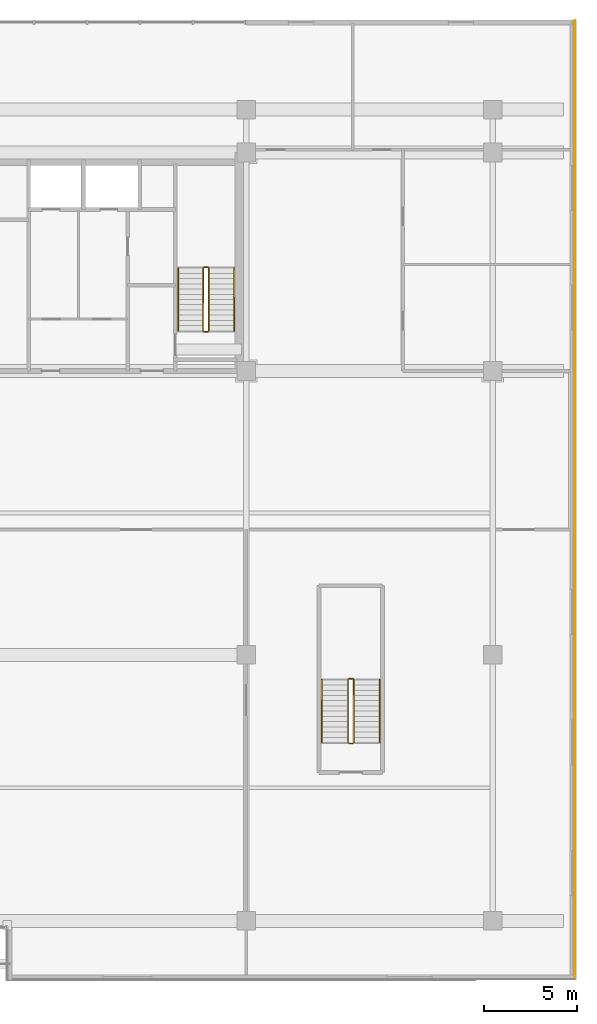
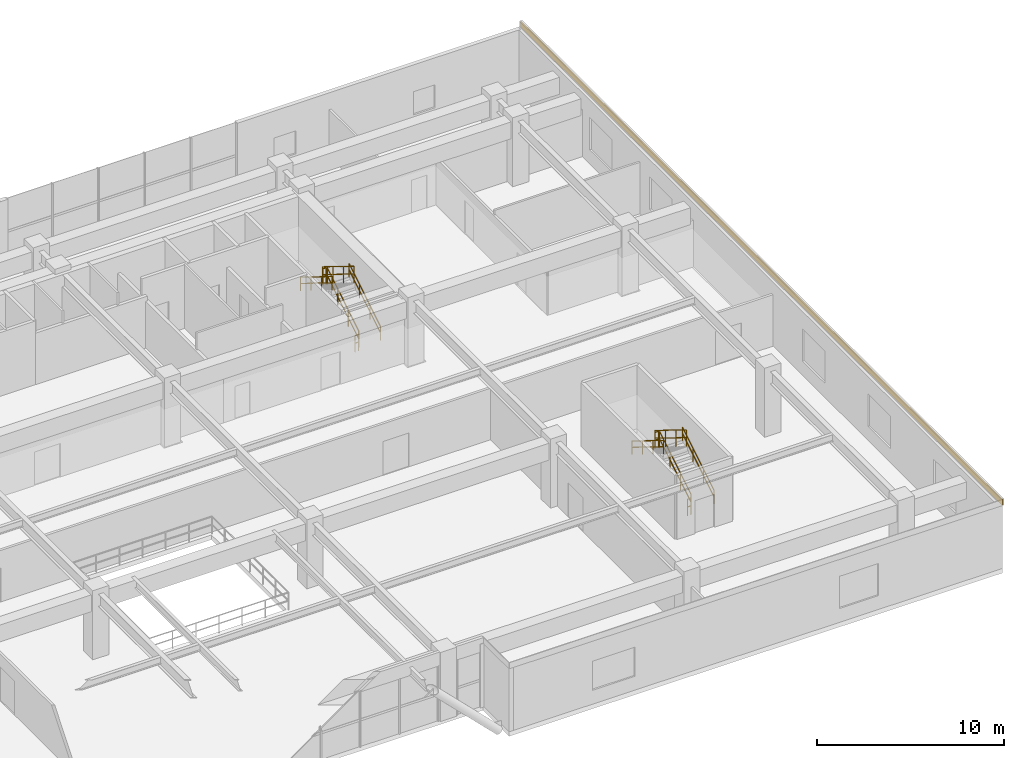
# One storey, part 21 of 21: 12 railings, 1 covering.
"""IFC4 building model written with IfcOpenShell, lengths in metres."""

from ifc_helpers import new_model, si_unit, direction, frame, origin, origin_2d, place, context, subcontext, project, spatial, rectangle, extrude, source, transform, mapped, material, layer, layer_set, type_object, element, save


model = new_model("IFC4")

# Units and contexts
model_context = context("Model", 3, precision=1e-05, world=origin(), true_north=direction((0.0, 1.0)))
body_context = subcontext(model_context, "Body", "Model", "MODEL_VIEW")
ifc_project = project(units=[si_unit("LENGTHUNIT", "METRE"), si_unit("AREAUNIT", "SQUARE_METRE"), si_unit("VOLUMEUNIT", "CUBIC_METRE"), si_unit("PLANEANGLEUNIT", "RADIAN"), si_unit("MASSUNIT", "GRAM", prefix="KILO")], contexts=[model_context])

# Site, building, storey
site_placement = place(None, origin())
site = spatial("IfcSite", under=ifc_project, at=site_placement, CompositionType="ELEMENT")
building_placement = place(site_placement, origin())
building = spatial("IfcBuilding", under=site, at=building_placement, Name="Trelvane Seafront Commons", CompositionType="ELEMENT")
storey_placement = place(building_placement, frame((0.0, 0.0, 14.199951171875)))
storey = spatial("IfcBuildingStorey", under=building, at=storey_placement, Name="L03", CompositionType="ELEMENT", Elevation=14.199951171875)

# Railings
ifc_material_1 = material(Name="Stainless steel balustrade", Category="steel")
railing_type_1 = type_object("IfcRailingType", Name="ARCH-SRL-GUARD", PredefinedType="GUARDRAIL", material=ifc_material_1)
railing_1_placement = place(storey_placement, frame((56.800048828125, 35.550048828125, 0.173095703125)))
element("IfcRailing", 1, at=railing_1_placement, inside=storey, type_object=railing_type_1, Name="L03 ST-2 stair guard 1", PredefinedType="GUARDRAIL", context=body_context, shape_type="SweptSolid", body=[
    extrude(rectangle(XDim=0.048095703125, YDim=0.048095703125, at=origin_2d()), frame((0.0, 0.0, 1.076171875), z_axis=(0.0, 0.850606129759, 0.525803396734), x_axis=(-1.0, 0.0, 0.0)), (0.0, 0.0, 1.0), 3.949951171875),
    extrude(rectangle(XDim=0.048095703125, YDim=0.048095703125, at=origin_2d()), frame((0.0, 0.0, 0.572021484375), z_axis=(0.0, 0.850606129759, 0.525803396734), x_axis=(-1.0, 0.0, 0.0)), (0.0, 0.0, 1.0), 3.949951171875),
    extrude(rectangle(XDim=0.0419921875, YDim=0.0419921875, at=origin_2d()), origin(), (0.0, 0.0, 1.0), 1.076171875),
    extrude(rectangle(XDim=0.0419921875, YDim=0.0419921875, at=origin_2d()), frame((0.0, 1.119873046875, 0.6923828125)), (0.0, 0.0, 1.0), 1.076171875),
    extrude(rectangle(XDim=0.0419921875, YDim=0.0419921875, at=origin_2d()), frame((0.0, 2.239990234375, 1.384521484375)), (0.0, 0.0, 1.0), 1.076171875),
    extrude(rectangle(XDim=0.0419921875, YDim=0.0419921875, at=origin_2d()), frame((0.0, 3.35986328125, 2.076904296875)), (0.0, 0.0, 1.0), 1.076171875),
])
railing_2_placement = place(storey_placement, frame((56.75, 38.9599609375, 2.25)))
element("IfcRailing", 2, at=railing_2_placement, inside=storey, type_object=railing_type_1, Name="L03 ST-2 stair guard 2", PredefinedType="GUARDRAIL", context=body_context, shape_type="SweptSolid", body=[
    extrude(rectangle(XDim=0.048095703125, YDim=0.048095703125, at=origin_2d()), frame((0.0, 0.0, 1.076171875), z_axis=(-1.0, 0.0, 0.0), x_axis=(0.0, -1.0, 0.0)), (0.0, 0.0, 1.0), 0.199951171875),
    extrude(rectangle(XDim=0.048095703125, YDim=0.048095703125, at=origin_2d()), frame((0.0, 0.0, 0.572021484375), z_axis=(-1.0, 0.0, 0.0), x_axis=(0.0, -1.0, 0.0)), (0.0, 0.0, 1.0), 0.199951171875),
    extrude(rectangle(XDim=0.0419921875, YDim=0.0419921875, at=origin_2d()), origin(), (0.0, 0.0, 1.0), 1.076171875),
    extrude(rectangle(XDim=0.0419921875, YDim=0.0419921875, at=origin_2d()), frame((-0.199951171875, 0.0, 0.0)), (0.0, 0.0, 1.0), 1.076171875),
])
railing_3_placement = place(storey_placement, frame((56.5, 38.909912109375, 2.423095703125)))
element("IfcRailing", 3, at=railing_3_placement, inside=storey, type_object=railing_type_1, Name="L03 ST-2 stair guard 3", PredefinedType="GUARDRAIL", context=body_context, shape_type="SweptSolid", body=[
    extrude(rectangle(XDim=0.048095703125, YDim=0.048095703125, at=origin_2d()), frame((0.0, 0.0, 1.076171875), z_axis=(0.0, -0.850606129759, 0.525803396734), x_axis=(1.0, 0.0, 0.0)), (0.0, 0.0, 1.0), 3.949951171875),
    extrude(rectangle(XDim=0.048095703125, YDim=0.048095703125, at=origin_2d()), frame((0.0, 0.0, 0.572021484375), z_axis=(0.0, -0.850606129759, 0.525803396734), x_axis=(1.0, 0.0, 0.0)), (0.0, 0.0, 1.0), 3.949951171875),
    extrude(rectangle(XDim=0.0419921875, YDim=0.0419921875, at=origin_2d()), origin(), (0.0, 0.0, 1.0), 1.076171875),
    extrude(rectangle(XDim=0.0419921875, YDim=0.0419921875, at=origin_2d()), frame((0.0, -1.119873046875, 0.6923828125)), (0.0, 0.0, 1.0), 1.076171875),
    extrude(rectangle(XDim=0.0419921875, YDim=0.0419921875, at=origin_2d()), frame((0.0, -2.239990234375, 1.384521484375)), (0.0, 0.0, 1.0), 1.076171875),
    extrude(rectangle(XDim=0.0419921875, YDim=0.0419921875, at=origin_2d()), frame((0.0, -3.35986328125, 2.076904296875)), (0.0, 0.0, 1.0), 1.076171875),
])
railing_4_placement = place(storey_placement, frame((56.75, 35.5, 0.0)))
element("IfcRailing", 4, at=railing_4_placement, inside=storey, type_object=railing_type_1, Name="L03 ST-2 stair guard 4", PredefinedType="GUARDRAIL", context=body_context, shape_type="SweptSolid", body=[
    extrude(rectangle(XDim=0.048095703125, YDim=0.048095703125, at=origin_2d()), frame((0.0, 0.0, 1.076171875), z_axis=(-1.0, 0.0, 0.0), x_axis=(0.0, -1.0, 0.0)), (0.0, 0.0, 1.0), 0.199951171875),
    extrude(rectangle(XDim=0.048095703125, YDim=0.048095703125, at=origin_2d()), frame((0.0, 0.0, 0.572021484375), z_axis=(-1.0, 0.0, 0.0), x_axis=(0.0, -1.0, 0.0)), (0.0, 0.0, 1.0), 0.199951171875),
    extrude(rectangle(XDim=0.0419921875, YDim=0.0419921875, at=origin_2d()), origin(), (0.0, 0.0, 1.0), 1.076171875),
    extrude(rectangle(XDim=0.0419921875, YDim=0.0419921875, at=origin_2d()), frame((-0.199951171875, 0.0, 0.0)), (0.0, 0.0, 1.0), 1.076171875),
])
railing_5_placement = place(storey_placement, frame((64.550048828125, 13.5, 0.173095703125)))
element("IfcRailing", 5, at=railing_5_placement, inside=storey, type_object=railing_type_1, Name="L03 ST-4 stair guard 1", PredefinedType="GUARDRAIL", context=body_context, shape_type="SweptSolid", body=[
    extrude(rectangle(XDim=0.048095703125, YDim=0.048095703125, at=origin_2d()), frame((0.0, 0.0, 1.076171875), z_axis=(0.0, 0.850623216509, 0.525775754039), x_axis=(-1.0, 0.0, 0.0)), (0.0, 0.0, 1.0), 3.9501953125),
    extrude(rectangle(XDim=0.048095703125, YDim=0.048095703125, at=origin_2d()), frame((0.0, 0.0, 0.572021484375), z_axis=(0.0, 0.850623216509, 0.525775754039), x_axis=(-1.0, 0.0, 0.0)), (0.0, 0.0, 1.0), 3.9501953125),
    extrude(rectangle(XDim=0.0419921875, YDim=0.0419921875, at=origin_2d()), origin(), (0.0, 0.0, 1.0), 1.076171875),
    extrude(rectangle(XDim=0.0419921875, YDim=0.0419921875, at=origin_2d()), frame((0.0, 1.1201171875, 0.6923828125)), (0.0, 0.0, 1.0), 1.076171875),
    extrude(rectangle(XDim=0.0419921875, YDim=0.0419921875, at=origin_2d()), frame((0.0, 2.239990234375, 1.384521484375)), (0.0, 0.0, 1.0), 1.076171875),
    extrude(rectangle(XDim=0.0419921875, YDim=0.0419921875, at=origin_2d()), frame((0.0, 3.360107421875, 2.076904296875)), (0.0, 0.0, 1.0), 1.076171875),
])
railing_6_placement = place(storey_placement, frame((64.5, 16.909912109375, 2.25)))
element("IfcRailing", 6, at=railing_6_placement, inside=storey, type_object=railing_type_1, Name="L03 ST-4 stair guard 2", PredefinedType="GUARDRAIL", context=body_context, shape_type="SweptSolid", body=[
    extrude(rectangle(XDim=0.048095703125, YDim=0.048095703125, at=origin_2d()), frame((0.0, 0.0, 1.076171875), z_axis=(-1.0, 0.0, 0.0), x_axis=(0.0, -1.0, 0.0)), (0.0, 0.0, 1.0), 0.199951171875),
    extrude(rectangle(XDim=0.048095703125, YDim=0.048095703125, at=origin_2d()), frame((0.0, 0.0, 0.572021484375), z_axis=(-1.0, 0.0, 0.0), x_axis=(0.0, -1.0, 0.0)), (0.0, 0.0, 1.0), 0.199951171875),
    extrude(rectangle(XDim=0.0419921875, YDim=0.0419921875, at=origin_2d()), origin(), (0.0, 0.0, 1.0), 1.076171875),
    extrude(rectangle(XDim=0.0419921875, YDim=0.0419921875, at=origin_2d()), frame((-0.199951171875, 0.0, 0.0)), (0.0, 0.0, 1.0), 1.076171875),
])
railing_7_placement = place(storey_placement, frame((64.25, 16.860107421875, 2.423095703125)))
element("IfcRailing", 7, at=railing_7_placement, inside=storey, type_object=railing_type_1, Name="L03 ST-4 stair guard 3", PredefinedType="GUARDRAIL", context=body_context, shape_type="SweptSolid", body=[
    extrude(rectangle(XDim=0.048095703125, YDim=0.048095703125, at=origin_2d()), frame((0.0, 0.0, 1.076171875), z_axis=(0.0, -0.850623216509, 0.525775754039), x_axis=(1.0, 0.0, 0.0)), (0.0, 0.0, 1.0), 3.9501953125),
    extrude(rectangle(XDim=0.048095703125, YDim=0.048095703125, at=origin_2d()), frame((0.0, 0.0, 0.572021484375), z_axis=(0.0, -0.850623216509, 0.525775754039), x_axis=(1.0, 0.0, 0.0)), (0.0, 0.0, 1.0), 3.9501953125),
    extrude(rectangle(XDim=0.0419921875, YDim=0.0419921875, at=origin_2d()), origin(), (0.0, 0.0, 1.0), 1.076171875),
    extrude(rectangle(XDim=0.0419921875, YDim=0.0419921875, at=origin_2d()), frame((0.0, -1.1201171875, 0.6923828125)), (0.0, 0.0, 1.0), 1.076171875),
    extrude(rectangle(XDim=0.0419921875, YDim=0.0419921875, at=origin_2d()), frame((0.0, -2.239990234375, 1.384521484375)), (0.0, 0.0, 1.0), 1.076171875),
    extrude(rectangle(XDim=0.0419921875, YDim=0.0419921875, at=origin_2d()), frame((0.0, -3.360107421875, 2.076904296875)), (0.0, 0.0, 1.0), 1.076171875),
])
railing_8_placement = place(storey_placement, frame((64.5, 13.449951171875, 0.0)))
element("IfcRailing", 8, at=railing_8_placement, inside=storey, type_object=railing_type_1, Name="L03 ST-4 stair guard 4", PredefinedType="GUARDRAIL", context=body_context, shape_type="SweptSolid", body=[
    extrude(rectangle(XDim=0.048095703125, YDim=0.048095703125, at=origin_2d()), frame((0.0, 0.0, 1.076171875), z_axis=(-1.0, 0.0, 0.0), x_axis=(0.0, -1.0, 0.0)), (0.0, 0.0, 1.0), 0.199951171875),
    extrude(rectangle(XDim=0.048095703125, YDim=0.048095703125, at=origin_2d()), frame((0.0, 0.0, 0.572021484375), z_axis=(-1.0, 0.0, 0.0), x_axis=(0.0, -1.0, 0.0)), (0.0, 0.0, 1.0), 0.199951171875),
    extrude(rectangle(XDim=0.0419921875, YDim=0.0419921875, at=origin_2d()), origin(), (0.0, 0.0, 1.0), 1.076171875),
    extrude(rectangle(XDim=0.0419921875, YDim=0.0419921875, at=origin_2d()), frame((-0.199951171875, 0.0, 0.0)), (0.0, 0.0, 1.0), 1.076171875),
])
railing_type_2 = type_object("IfcRailingType", Name="ARCH-SRL-HAND", PredefinedType="HANDRAIL", material=ifc_material_1)
railing_9_placement = place(storey_placement, frame((58.14990234375, 35.550048828125, 0.173095703125)))
element("IfcRailing", 9, at=railing_9_placement, inside=storey, type_object=railing_type_2, Name="L03 ST-2 stair handrail 1", PredefinedType="HANDRAIL", context=body_context, shape_type="SweptSolid", body=[
    extrude(rectangle(XDim=0.048095703125, YDim=0.048095703125, at=origin_2d()), frame((0.0, 0.0, 0.8759765625), z_axis=(0.0, 0.850606129759, 0.525803396734), x_axis=(-1.0, 0.0, 0.0)), (0.0, 0.0, 1.0), 3.949951171875),
    extrude(rectangle(XDim=0.048095703125, YDim=0.048095703125, at=origin_2d()), frame((0.0, 0.0, 0.468017578125), z_axis=(0.0, 0.850606129759, 0.525803396734), x_axis=(-1.0, 0.0, 0.0)), (0.0, 0.0, 1.0), 3.949951171875),
    extrude(rectangle(XDim=0.0419921875, YDim=0.0419921875, at=origin_2d()), origin(), (0.0, 0.0, 1.0), 0.8759765625),
    extrude(rectangle(XDim=0.0419921875, YDim=0.0419921875, at=origin_2d()), frame((0.0, 1.119873046875, 0.6923828125)), (0.0, 0.0, 1.0), 0.8759765625),
    extrude(rectangle(XDim=0.0419921875, YDim=0.0419921875, at=origin_2d()), frame((0.0, 2.239990234375, 1.384521484375)), (0.0, 0.0, 1.0), 0.8759765625),
    extrude(rectangle(XDim=0.0419921875, YDim=0.0419921875, at=origin_2d()), frame((0.0, 3.35986328125, 2.076904296875)), (0.0, 0.0, 1.0), 0.8759765625),
])
railing_10_placement = place(storey_placement, frame((55.14990234375, 38.909912109375, 2.423095703125)))
element("IfcRailing", 10, at=railing_10_placement, inside=storey, type_object=railing_type_2, Name="L03 ST-2 stair handrail 2", PredefinedType="HANDRAIL", context=body_context, shape_type="SweptSolid", body=[
    extrude(rectangle(XDim=0.048095703125, YDim=0.048095703125, at=origin_2d()), frame((0.0, 0.0, 0.8759765625), z_axis=(0.0, -0.850606129759, 0.525803396734), x_axis=(1.0, 0.0, 0.0)), (0.0, 0.0, 1.0), 3.949951171875),
    extrude(rectangle(XDim=0.048095703125, YDim=0.048095703125, at=origin_2d()), frame((0.0, 0.0, 0.468017578125), z_axis=(0.0, -0.850606129759, 0.525803396734), x_axis=(1.0, 0.0, 0.0)), (0.0, 0.0, 1.0), 3.949951171875),
    extrude(rectangle(XDim=0.0419921875, YDim=0.0419921875, at=origin_2d()), origin(), (0.0, 0.0, 1.0), 0.8759765625),
    extrude(rectangle(XDim=0.0419921875, YDim=0.0419921875, at=origin_2d()), frame((0.0, -1.119873046875, 0.6923828125)), (0.0, 0.0, 1.0), 0.8759765625),
    extrude(rectangle(XDim=0.0419921875, YDim=0.0419921875, at=origin_2d()), frame((0.0, -2.239990234375, 1.384521484375)), (0.0, 0.0, 1.0), 0.8759765625),
    extrude(rectangle(XDim=0.0419921875, YDim=0.0419921875, at=origin_2d()), frame((0.0, -3.35986328125, 2.076904296875)), (0.0, 0.0, 1.0), 0.8759765625),
])
railing_11_placement = place(storey_placement, frame((65.949951171875, 13.5, 0.173095703125)))
element("IfcRailing", 11, at=railing_11_placement, inside=storey, type_object=railing_type_2, Name="L03 ST-4 stair handrail 1", PredefinedType="HANDRAIL", context=body_context, shape_type="SweptSolid", body=[
    extrude(rectangle(XDim=0.048095703125, YDim=0.048095703125, at=origin_2d()), frame((0.0, 0.0, 0.8759765625), z_axis=(0.0, 0.850623216509, 0.525775754039), x_axis=(-1.0, 0.0, 0.0)), (0.0, 0.0, 1.0), 3.9501953125),
    extrude(rectangle(XDim=0.048095703125, YDim=0.048095703125, at=origin_2d()), frame((0.0, 0.0, 0.468017578125), z_axis=(0.0, 0.850623216509, 0.525775754039), x_axis=(-1.0, 0.0, 0.0)), (0.0, 0.0, 1.0), 3.9501953125),
    extrude(rectangle(XDim=0.0419921875, YDim=0.0419921875, at=origin_2d()), origin(), (0.0, 0.0, 1.0), 0.8759765625),
    extrude(rectangle(XDim=0.0419921875, YDim=0.0419921875, at=origin_2d()), frame((0.0, 1.1201171875, 0.6923828125)), (0.0, 0.0, 1.0), 0.8759765625),
    extrude(rectangle(XDim=0.0419921875, YDim=0.0419921875, at=origin_2d()), frame((0.0, 2.239990234375, 1.384521484375)), (0.0, 0.0, 1.0), 0.8759765625),
    extrude(rectangle(XDim=0.0419921875, YDim=0.0419921875, at=origin_2d()), frame((0.0, 3.360107421875, 2.076904296875)), (0.0, 0.0, 1.0), 0.8759765625),
])
railing_12_placement = place(storey_placement, frame((62.85009765625, 16.860107421875, 2.423095703125)))
element("IfcRailing", 12, at=railing_12_placement, inside=storey, type_object=railing_type_2, Name="L03 ST-4 stair handrail 2", PredefinedType="HANDRAIL", context=body_context, shape_type="SweptSolid", body=[
    extrude(rectangle(XDim=0.048095703125, YDim=0.048095703125, at=origin_2d()), frame((0.0, 0.0, 0.8759765625), z_axis=(0.0, -0.850623216509, 0.525775754039), x_axis=(1.0, 0.0, 0.0)), (0.0, 0.0, 1.0), 3.9501953125),
    extrude(rectangle(XDim=0.048095703125, YDim=0.048095703125, at=origin_2d()), frame((0.0, 0.0, 0.468017578125), z_axis=(0.0, -0.850623216509, 0.525775754039), x_axis=(1.0, 0.0, 0.0)), (0.0, 0.0, 1.0), 3.9501953125),
    extrude(rectangle(XDim=0.0419921875, YDim=0.0419921875, at=origin_2d()), origin(), (0.0, 0.0, 1.0), 0.8759765625),
    extrude(rectangle(XDim=0.0419921875, YDim=0.0419921875, at=origin_2d()), frame((0.0, -1.1201171875, 0.6923828125)), (0.0, 0.0, 1.0), 0.8759765625),
    extrude(rectangle(XDim=0.0419921875, YDim=0.0419921875, at=origin_2d()), frame((0.0, -2.239990234375, 1.384521484375)), (0.0, 0.0, 1.0), 0.8759765625),
    extrude(rectangle(XDim=0.0419921875, YDim=0.0419921875, at=origin_2d()), frame((0.0, -3.360107421875, 2.076904296875)), (0.0, 0.0, 1.0), 0.8759765625),
])

# Covering
ifc_material_2 = material(Name="Anodised pale-silver aluminium", Category="aluminium")
ifc_layer = layer(ifc_material_2, 0.034912109375, Name="ARCH-COV-CLAD35")
ifc_layer_set = layer_set([ifc_layer], Name="Anodised pale-silver aluminium")
covering_type = type_object("IfcCoveringType", Name="ARCH-COV-CLAD35", PredefinedType="CLADDING", material=ifc_layer_set)
shared_shape = source(origin(), body_context, "Body", "SweptSolid", [
    extrude(rectangle(XDim=51.39990234375, YDim=0.034912109375, at=origin_2d()), origin(), (0.0, 0.0, 1.0), 0.389892578125),
])
covering_placement = place(storey_placement, frame((76.39990234375, 26.5, 4.10986328125), z_axis=(0.0, 0.0, 1.0), x_axis=(0.0, -1.0, 0.0)))
element("IfcCovering", 13, at=covering_placement, inside=storey, type_object=covering_type, Name="CLD-L03-00023", PredefinedType="CLADDING", context=body_context, shape_type="MappedRepresentation", body=[
    mapped(shared_shape, transform((0.0, 0.0, 0.0), x_axis=(1.0, 0.0, 0.0), y_axis=(0.0, 1.0, 0.0), z_axis=(0.0, 0.0, 1.0), scale=1.0)),
])

save(model, "model.ifc")
